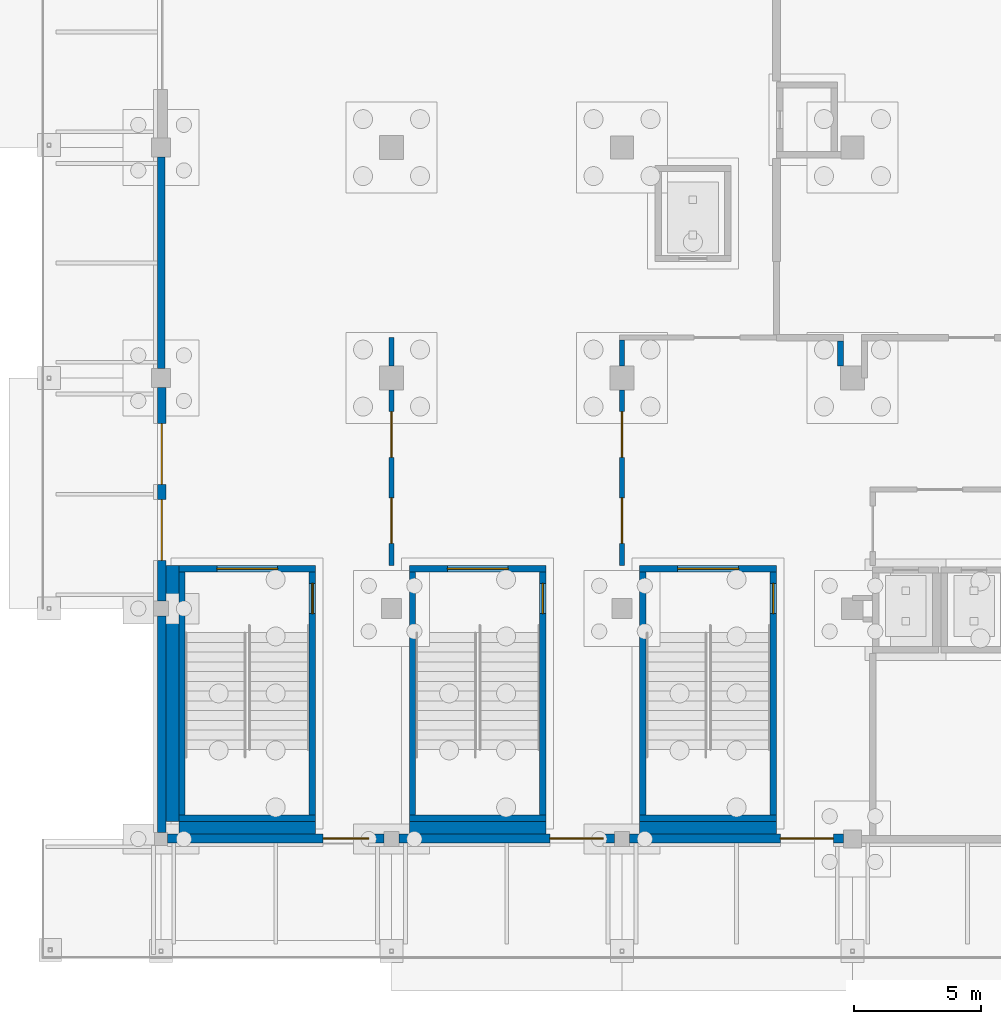
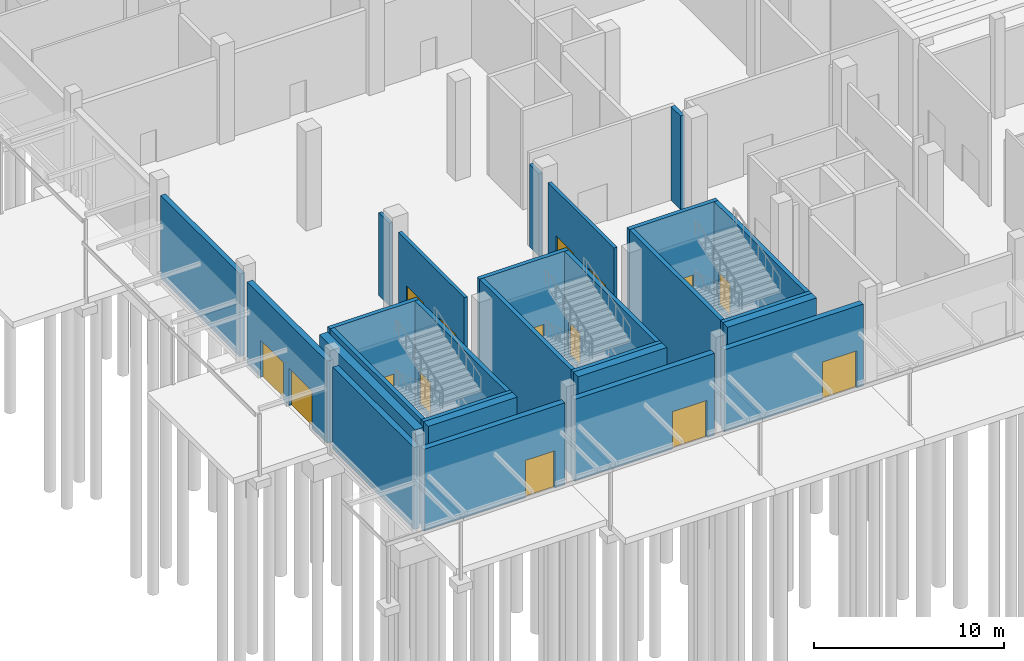
# One storey, part 67 of 129: 27 walls, 15 doors, 15 openings.
"""IFC4 building model written with IfcOpenShell, lengths in metres."""

import ifcopenshell
import ifcopenshell.guid

model = None  # the IFC model being written
_history = None  # IfcOwnerHistory: only IFC2X3 demands one
_inside = {}  # id of a spatial element -> (the spatial element, [elements in it])
_under = {}  # id of a project, library or spatial element -> (it, [spatial elements below it])
_declared = {}  # id of a project -> (the project, [libraries it declares])
_typed = {}  # id of a type object -> (the type object, [elements of that type])
_made_of = {}  # id of a material, layer set ... -> (it, [elements and type objects made of it])


def new_model(schema):
    """Start an empty IFC model of exactly this schema.

    Asked for "IFC4X3", IfcOpenShell would pick the latest addendum, in which some entities
    have other attributes; the version numbers below select the first issue.
    IFC2X3 requires an IfcOwnerHistory on every rooted entity: one is made here for all.
    """
    global model, _history
    if schema == "IFC4X3":
        model = ifcopenshell.file(schema_version=(4, 3, 0, 0))
    else:
        model = ifcopenshell.file(schema=schema)
    _inside.clear()
    _under.clear()
    _declared.clear()
    _typed.clear()
    _made_of.clear()
    _history = None
    if model.schema == "IFC2X3":
        org = make("IfcOrganization", Name="unknown")
        user = make(
            "IfcPersonAndOrganization",
            ThePerson=make("IfcPerson", FamilyName="unknown"),
            TheOrganization=org,
        )
        app = make(
            "IfcApplication",
            ApplicationDeveloper=org,
            Version="unknown",
            ApplicationFullName="unknown",
            ApplicationIdentifier="unknown",
        )
        _history = make(
            "IfcOwnerHistory",
            OwningUser=user,
            OwningApplication=app,
            ChangeAction="ADDED",
            CreationDate=0,
        )
    return model


def make(cls, **values):
    """One entity of the class cls with the attributes given. An attribute that is None is left unset."""
    return model.create_entity(
        cls, **{name: value for name, value in values.items() if value is not None}
    )


def rooted(cls, **values):
    """An entity with a GlobalId (a new one), such as an element, a storey or a relation."""
    return make(cls, GlobalId=ifcopenshell.guid.new(), OwnerHistory=_history, **values)


def si_unit(unit_type, name, prefix=None):
    """IfcSIUnit, for example si_unit("LENGTHUNIT", "METRE", prefix="MILLI")."""
    return make("IfcSIUnit", UnitType=unit_type, Prefix=prefix, Name=name)


def assignment(units):
    """IfcUnitAssignment: the units of a project."""
    return None if units is None else make("IfcUnitAssignment", Units=units)


def point(xyz):
    """IfcCartesianPoint."""
    return None if xyz is None else make("IfcCartesianPoint", Coordinates=xyz)


def direction(xyz):
    """IfcDirection."""
    return None if xyz is None else make("IfcDirection", DirectionRatios=xyz)


def frame(location, z_axis=None, x_axis=None):
    """IfcAxis2Placement3D, a coordinate frame: its origin and axes. An axis left out is left unset."""
    return make(
        "IfcAxis2Placement3D",
        Location=point(location),
        Axis=direction(z_axis),
        RefDirection=direction(x_axis),
    )


def frame_2d(location, x_axis=None):
    """IfcAxis2Placement2D, a coordinate frame in the plane: its origin and x axis."""
    return make(
        "IfcAxis2Placement2D", Location=point(location), RefDirection=direction(x_axis)
    )


def origin():
    """The frame at (0, 0, 0) with its axes left unset."""
    return frame((0.0, 0.0, 0.0))


def place(relative_to, where):
    """IfcLocalPlacement: puts the frame where relative to a parent placement (None: the world)."""
    return make(
        "IfcLocalPlacement", PlacementRelTo=relative_to, RelativePlacement=where
    )


def context(
    kind, dimensions, precision=None, world=None, true_north=None, identifier=None
):
    """IfcGeometricRepresentationContext, for example the 3D "Model" context."""
    return make(
        "IfcGeometricRepresentationContext",
        ContextIdentifier=identifier,
        ContextType=kind,
        CoordinateSpaceDimension=dimensions,
        Precision=precision,
        WorldCoordinateSystem=world,
        TrueNorth=true_north,
    )


def subcontext(parent, identifier, kind, view, scale=None):
    """IfcGeometricRepresentationSubContext, for example "Body" below "Model"."""
    return make(
        "IfcGeometricRepresentationSubContext",
        ContextIdentifier=identifier,
        ContextType=kind,
        ParentContext=parent,
        TargetScale=scale,
        TargetView=view,
    )


def project(units=None, contexts=None):
    """IfcProject with its units and contexts."""
    return rooted(
        "IfcProject",
        Name="project",
        RepresentationContexts=contexts,
        UnitsInContext=assignment(units),
    )


def spatial(cls, under=None, at=None, **own):
    """A site, building, storey or space (cls), placed at a placement, below another one or the project."""
    s = rooted(cls, ObjectPlacement=at, **own)
    if under is not None:
        _under.setdefault(under.id(), (under, []))[1].append(s)
    return s


def profile(cls, at=None, kind="AREA", **sizes):
    """A parametric profile (cls). Its sizes go by their IFC names, for example OverallWidth=200.0."""
    return make(cls, ProfileType=kind, Position=at, **sizes)


def rectangle(**sizes):
    """IfcRectangleProfileDef."""
    return profile("IfcRectangleProfileDef", **sizes)


def extrude(swept, where, along, depth):
    """IfcExtrudedAreaSolid: the profile swept, set in the frame where, extruded along a direction by depth."""
    return make(
        "IfcExtrudedAreaSolid",
        SweptArea=swept,
        Position=where,
        ExtrudedDirection=direction(along),
        Depth=depth,
    )


def shape(context_of_items, identifier, shape_type, items):
    """IfcShapeRepresentation: the items that make up one representation, for example the "Body"."""
    return make(
        "IfcShapeRepresentation",
        ContextOfItems=context_of_items,
        RepresentationIdentifier=identifier,
        RepresentationType=shape_type,
        Items=items,
    )


def material(Name=None, Category=None):
    """IfcMaterial."""
    return make("IfcMaterial", Name=Name, Category=Category)


def layer(
    of_material, thickness, ventilated=None, Name=None, Category=None, Priority=None
):
    """IfcMaterialLayer: one layer of a wall or slab, of a material (None: an air gap)."""
    return make(
        "IfcMaterialLayer",
        Material=of_material,
        LayerThickness=thickness,
        IsVentilated=ventilated,
        Name=Name,
        Category=Category,
        Priority=Priority,
    )


def layer_set(layers, Name=None):
    """IfcMaterialLayerSet."""
    return make("IfcMaterialLayerSet", MaterialLayers=layers, LayerSetName=Name)


def made_of(thing, what):
    """Note that an element or type object is made of a material, layer set ...; save() writes the relation."""
    if what is not None:
        _made_of.setdefault(what.id(), (what, []))[1].append(thing)
    return thing


def type_object(cls, material=None, **own):
    """A type object (cls), such as IfcWallType, which elements share."""
    return made_of(rooted(cls, **own), material)


def element(
    cls,
    number,
    at=None,
    inside=None,
    cuts=None,
    type_object=None,
    material=None,
    context=None,
    identifier="Body",
    shape_type=None,
    held_by="IfcProductDefinitionShape",
    body=None,
    shapes=None,
    **own,
):
    """One element of the class cls, such as IfcWall. Its Tag is "e" and its number.

    at: its placement. inside: the storey or other place that contains it. cuts: it is an
    opening in that element (IfcRelVoidsElement). A single representation is given by context,
    identifier, shape_type and body (its items); several are given by shapes. held_by: the class
    of the entity that holds the representations. save() writes the other relations.
    """
    e = rooted(cls, Tag="e%d" % number, ObjectPlacement=at, **own)
    if body is not None:
        shapes = [shape(context, identifier, shape_type, body)]
    if shapes is not None:
        e.Representation = make(held_by, Representations=shapes)
    if inside is not None:
        _inside.setdefault(inside.id(), (inside, []))[1].append(e)
    if cuts is not None:
        rooted(
            "IfcRelVoidsElement", RelatingBuildingElement=cuts, RelatedOpeningElement=e
        )
    if type_object is not None:
        _typed.setdefault(type_object.id(), (type_object, []))[1].append(e)
    return made_of(e, material)


def fill(opening, filler):
    """IfcRelFillsElement: the door or window that sits in an opening."""
    return rooted(
        "IfcRelFillsElement",
        RelatingOpeningElement=opening,
        RelatedBuildingElement=filler,
    )


def aggregate(whole, parts):
    """IfcRelAggregates: a whole, such as a stair, and the parts it consists of."""
    return rooted("IfcRelAggregates", RelatingObject=whole, RelatedObjects=parts)


def save(model, path):
    """Write the relations noted so far, then the file.

    IfcRelAggregates (storeys below a building ...), IfcRelContainedInSpatialStructure (elements
    in a storey), IfcRelDefinesByType, IfcRelAssociatesMaterial and IfcRelDeclares: one each for
    every whole, place, type object, material and project.
    """
    for whole, parts in _under.values():
        aggregate(whole, parts)
    for where, things in _inside.values():
        rooted(
            "IfcRelContainedInSpatialStructure",
            RelatedElements=things,
            RelatingStructure=where,
        )
    for kind, things in _typed.values():
        rooted("IfcRelDefinesByType", RelatedObjects=things, RelatingType=kind)
    for what, things in _made_of.values():
        rooted("IfcRelAssociatesMaterial", RelatedObjects=things, RelatingMaterial=what)
    for by, libraries in _declared.values():
        rooted("IfcRelDeclares", RelatingContext=by, RelatedDefinitions=libraries)
    model.write(path)


model = new_model("IFC4")

# Units and contexts
model_context = context("Model", 3, precision=1e-05, world=origin(), true_north=direction((0.0, 1.0)))
body_context = subcontext(model_context, "Body", "Model", "MODEL_VIEW")
ifc_project = project(units=[si_unit("LENGTHUNIT", "METRE"), si_unit("AREAUNIT", "SQUARE_METRE"), si_unit("VOLUMEUNIT", "CUBIC_METRE"), si_unit("PLANEANGLEUNIT", "RADIAN"), si_unit("MASSUNIT", "GRAM", prefix="KILO")], contexts=[model_context])

# Site, building, storey
site_placement = place(None, origin())
site = spatial("IfcSite", under=ifc_project, at=site_placement, CompositionType="ELEMENT")
building_placement = place(site_placement, origin())
building = spatial("IfcBuilding", under=site, at=building_placement, Name="Shirokan Park Arena", CompositionType="ELEMENT")
storey_placement = place(building_placement, origin())
storey = spatial("IfcBuildingStorey", under=building, at=storey_placement, Name="L00", CompositionType="ELEMENT", Elevation=0.0)

# Walls
ifc_material_1 = material(Name="Board-formed concrete C40/50", Category="concrete")
ifc_layer_1 = layer(ifc_material_1, 0.1201171875, Name="Board-formed concrete C40/50")
ifc_material_2 = material(Name="Mineral wool insulation")
ifc_layer_2 = layer(ifc_material_2, 0.10009765625, Name="Mineral wool insulation")
ifc_material_3 = material(Name="Concrete C35", Category="concrete")
ifc_layer_3 = layer(ifc_material_3, 0.080078125, Name="Concrete C35")
ifc_layer_set_1 = layer_set([ifc_layer_1, ifc_layer_2, ifc_layer_3], Name="Board-formed concrete C40/50 + Mineral wool insulation + Concrete C35")
wall_type_1 = type_object("IfcWallType", Name="Board-formed concrete base wall 300", PredefinedType="SOLIDWALL", material=ifc_layer_set_1)
wall_1_placement = place(storey_placement, frame((0.0, 26.925048828125, 0.0), z_axis=(0.0, 0.0, 1.0), x_axis=(0.0, -1.0, 0.0)))
element("IfcWall", 1, at=wall_1_placement, inside=storey, type_object=wall_type_1, Name="West facade wall bay 10 L00", PredefinedType="SOLIDWALL", context=body_context, shape_type="SweptSolid", body=[
    extrude(rectangle(XDim=8.35009765625, YDim=0.300048828125, at=frame_2d((4.175048828125, 0.0))), origin(), (0.0, 0.0, 1.0), 5.320068359375),
])
ifc_material_4 = material(Name="Plaster")
ifc_layer_4 = layer(ifc_material_4, 0.014892578125, Name="Plaster")
ifc_material_5 = material(Name="Concrete blockwork", Category="masonry")
ifc_layer_5 = layer(ifc_material_5, 0.219970703125, Name="Concrete blockwork 220")
ifc_layer_6 = layer(ifc_material_4, 0.014892578125, Name="Plaster")
ifc_layer_set_2 = layer_set([ifc_layer_4, ifc_layer_5, ifc_layer_6], Name="Plaster + Concrete blockwork 220")
wall_type_2 = type_object("IfcWallType", Name="Compartment wall 250", PredefinedType="SOLIDWALL", material=ifc_layer_set_2)
wall_2_placement = place(storey_placement, frame((26.824951171875, 19.675048828125, 0.0), z_axis=(0.0, 0.0, 1.0), x_axis=(0.0, -1.0, 0.0)))
element("IfcWall", 2, at=wall_2_placement, inside=storey, type_object=wall_type_2, Name="Compartment wall 250 L00", PredefinedType="SOLIDWALL", context=body_context, shape_type="SweptSolid", body=[
    extrude(rectangle(XDim=1.0, YDim=0.25, at=frame_2d((0.5, 0.0))), origin(), (0.0, 0.0, 1.0), 6.02001953125),
])

# Wall, openings, doors
ifc_material_6 = material(Name="Gypsum board")
ifc_layer_7 = layer(ifc_material_6, 0.02490234375, Name="Gypsum board, two layers")
ifc_layer_8 = layer(ifc_material_2, 0.14990234375, Name="Mineral wool insulation")
ifc_layer_9 = layer(ifc_material_6, 0.02490234375, Name="Gypsum board, two layers")
ifc_layer_set_3 = layer_set([ifc_layer_7, ifc_layer_8, ifc_layer_9], Name="Gypsum board, two layers + Mineral wool insulation")
wall_type_3 = type_object("IfcWallType", Name="Corridor wall 200", PredefinedType="PARTITIONING", material=ifc_layer_set_3)
wall_3_placement = place(storey_placement, frame((9.10009765625, 17.72509765625, 0.0), z_axis=(0.0, 0.0, 1.0), x_axis=(0.0, -1.0, 0.0)))
wall_3 = element("IfcWall", 3, at=wall_3_placement, inside=storey, type_object=wall_type_3, Name="Corridor wall 200 L00", PredefinedType="PARTITIONING", context=body_context, shape_type="SweptSolid", body=[
    extrude(rectangle(XDim=6.925048828125, YDim=0.199951171875, at=frame_2d((3.46240234375, 0.0))), origin(), (0.0, 0.0, 1.0), 5.320068359375),
])
opening_1_placement = place(wall_3_placement, frame((0.85009765625, 0.0, 0.0)))
opening_1 = element("IfcOpeningElement", 4, at=opening_1_placement, cuts=wall_3, Name="Opening D-0038", PredefinedType="OPENING", context=body_context, shape_type="SweptSolid", body=[
    extrude(rectangle(XDim=1.800048828125, YDim=2.39990234375, at=frame_2d((0.89990234375, 1.199951171875))), frame((0.0, 0.10986328125, 0.0), z_axis=(0.0, -1.0, 0.0), x_axis=(1.0, 0.0, 0.0)), (0.0, 0.0, 1.0), 0.219970703125),
])
opening_2_placement = place(wall_3_placement, frame((4.25, 0.0, 0.0)))
opening_2 = element("IfcOpeningElement", 5, at=opening_2_placement, cuts=wall_3, Name="Opening D-0039", PredefinedType="OPENING", context=body_context, shape_type="SweptSolid", body=[
    extrude(rectangle(XDim=1.800048828125, YDim=2.39990234375, at=frame_2d((0.89990234375, 1.199951171875))), frame((0.0, 0.10986328125, 0.0), z_axis=(0.0, -1.0, 0.0), x_axis=(1.0, 0.0, 0.0)), (0.0, 0.0, 1.0), 0.219970703125),
])
ifc_material_7 = material(Name="Glazed steel door set, fire resisting", Category="steel")
door_type_1 = type_object("IfcDoorType", Name="Lift lobby door 1800 x 2400", OperationType="DOUBLE_DOOR_SINGLE_SWING", PredefinedType="DOOR", material=ifc_material_7)
door_1_placement = place(opening_1_placement, origin())
door_1 = element("IfcDoor", 6, at=door_1_placement, inside=storey, type_object=door_type_1, Name="Door between Artists Reception 1.0.1 and Players Lounge 1.0.2 D-0038", OperationType="DOUBLE_DOOR_SINGLE_SWING", OverallHeight=2.39990234375, OverallWidth=1.800048828125, PredefinedType="DOOR", context=body_context, shape_type="SweptSolid", body=[
    extrude(rectangle(XDim=1.800048828125, YDim=2.39990234375, at=frame_2d((0.89990234375, 1.199951171875))), frame((0.0, 0.02490234375, 0.0), z_axis=(0.0, -1.0, 0.0), x_axis=(1.0, 0.0, 0.0)), (0.0, 0.0, 1.0), 0.050048828125),
])
fill(opening_1, door_1)
door_2_placement = place(opening_2_placement, origin())
door_2 = element("IfcDoor", 7, at=door_2_placement, inside=storey, type_object=door_type_1, Name="Door between Artists Reception 1.0.1 and Players Lounge 1.0.2 D-0039", OperationType="DOUBLE_DOOR_SINGLE_SWING", OverallHeight=2.39990234375, OverallWidth=1.800048828125, PredefinedType="DOOR", context=body_context, shape_type="SweptSolid", body=[
    extrude(rectangle(XDim=1.800048828125, YDim=2.39990234375, at=frame_2d((0.89990234375, 1.199951171875))), frame((0.0, 0.02490234375, 0.0), z_axis=(0.0, -1.0, 0.0), x_axis=(1.0, 0.0, 0.0)), (0.0, 0.0, 1.0), 0.050048828125),
])
fill(opening_2, door_2)

# Wall
wall_4_placement = place(storey_placement, frame((9.10009765625, 19.800048828125, 0.0), z_axis=(0.0, 0.0, 1.0), x_axis=(0.0, -1.0, 0.0)))
element("IfcWall", 8, at=wall_4_placement, inside=storey, type_object=wall_type_3, Name="Corridor wall 200 L00", PredefinedType="PARTITIONING", context=body_context, shape_type="SweptSolid", body=[
    extrude(rectangle(XDim=1.125, YDim=0.199951171875, at=frame_2d((0.5625, 0.0))), origin(), (0.0, 0.0, 1.0), 5.320068359375),
])

# Wall, openings, doors
wall_5_placement = place(storey_placement, frame((18.199951171875, 17.72509765625, 0.0), z_axis=(0.0, 0.0, 1.0), x_axis=(0.0, -1.0, 0.0)))
wall_5 = element("IfcWall", 9, at=wall_5_placement, inside=storey, type_object=wall_type_3, Name="Corridor wall 200 L00", PredefinedType="PARTITIONING", context=body_context, shape_type="SweptSolid", body=[
    extrude(rectangle(XDim=6.925048828125, YDim=0.199951171875, at=frame_2d((3.46240234375, 0.0))), origin(), (0.0, 0.0, 1.0), 5.320068359375),
])
opening_3_placement = place(wall_5_placement, frame((0.85009765625, 0.0, 0.0)))
opening_3 = element("IfcOpeningElement", 10, at=opening_3_placement, cuts=wall_5, Name="Opening D-0040", PredefinedType="OPENING", context=body_context, shape_type="SweptSolid", body=[
    extrude(rectangle(XDim=1.800048828125, YDim=2.39990234375, at=frame_2d((0.89990234375, 1.199951171875))), frame((0.0, 0.10986328125, 0.0), z_axis=(0.0, -1.0, 0.0), x_axis=(1.0, 0.0, 0.0)), (0.0, 0.0, 1.0), 0.219970703125),
])
opening_4_placement = place(wall_5_placement, frame((4.25, 0.0, 0.0)))
opening_4 = element("IfcOpeningElement", 11, at=opening_4_placement, cuts=wall_5, Name="Opening D-0041", PredefinedType="OPENING", context=body_context, shape_type="SweptSolid", body=[
    extrude(rectangle(XDim=1.800048828125, YDim=2.39990234375, at=frame_2d((0.89990234375, 1.199951171875))), frame((0.0, 0.10986328125, 0.0), z_axis=(0.0, -1.0, 0.0), x_axis=(1.0, 0.0, 0.0)), (0.0, 0.0, 1.0), 0.219970703125),
])
door_3_placement = place(opening_3_placement, origin())
door_3 = element("IfcDoor", 12, at=door_3_placement, inside=storey, type_object=door_type_1, Name="Door between Players Lounge 1.0.2 and Staff Lobby 1.0.3 D-0040", OperationType="DOUBLE_DOOR_SINGLE_SWING", OverallHeight=2.39990234375, OverallWidth=1.800048828125, PredefinedType="DOOR", context=body_context, shape_type="SweptSolid", body=[
    extrude(rectangle(XDim=1.800048828125, YDim=2.39990234375, at=frame_2d((0.89990234375, 1.199951171875))), frame((0.0, 0.02490234375, 0.0), z_axis=(0.0, -1.0, 0.0), x_axis=(1.0, 0.0, 0.0)), (0.0, 0.0, 1.0), 0.050048828125),
])
fill(opening_3, door_3)
door_4_placement = place(opening_4_placement, origin())
door_4 = element("IfcDoor", 13, at=door_4_placement, inside=storey, type_object=door_type_1, Name="Door between Players Lounge 1.0.2 and Staff Lobby 1.0.3 D-0041", OperationType="DOUBLE_DOOR_SINGLE_SWING", OverallHeight=2.39990234375, OverallWidth=1.800048828125, PredefinedType="DOOR", context=body_context, shape_type="SweptSolid", body=[
    extrude(rectangle(XDim=1.800048828125, YDim=2.39990234375, at=frame_2d((0.89990234375, 1.199951171875))), frame((0.0, 0.02490234375, 0.0), z_axis=(0.0, -1.0, 0.0), x_axis=(1.0, 0.0, 0.0)), (0.0, 0.0, 1.0), 0.050048828125),
])
fill(opening_4, door_4)

# Wall
wall_6_placement = place(storey_placement, frame((18.199951171875, 19.699951171875, 0.0), z_axis=(0.0, 0.0, 1.0), x_axis=(0.0, -1.0, 0.0)))
element("IfcWall", 14, at=wall_6_placement, inside=storey, type_object=wall_type_3, Name="Corridor wall 200 L00", PredefinedType="PARTITIONING", context=body_context, shape_type="SweptSolid", body=[
    extrude(rectangle(XDim=1.02490234375, YDim=0.199951171875, at=frame_2d((0.512451171875, 0.0))), origin(), (0.0, 0.0, 1.0), 5.320068359375),
])

# Wall, opening, door
ifc_material_8 = material(Name="Cedar cladding")
ifc_layer_10 = layer(ifc_material_8, 0.030029296875, Name="Cedar cladding")
ifc_layer_11 = layer(ifc_material_2, 0.10009765625, Name="Mineral wool insulation")
ifc_layer_12 = layer(ifc_material_3, 0.199951171875, Name="Concrete C35")
ifc_material_9 = material(Name="Gypsum board lining")
ifc_layer_13 = layer(ifc_material_9, 0.02001953125, Name="Gypsum board lining")
ifc_layer_set_4 = layer_set([ifc_layer_10, ifc_layer_11, ifc_layer_12, ifc_layer_13], Name="Cedar cladding + Mineral wool insulation + Concrete C35 + Gypsum board lining")
wall_type_4 = type_object("IfcWallType", Name="Insulated tower wall 350", PredefinedType="SOLIDWALL", material=ifc_layer_set_4)
wall_7_placement = place(storey_placement, frame((0.25, 0.02490234375, 0.0), z_axis=(0.0, 0.0, 1.0), x_axis=(1.0, 0.0, 0.0)))
wall_7 = element("IfcWall", 15, at=wall_7_placement, inside=storey, type_object=wall_type_4, Name="South facade wall bay 1 L00", PredefinedType="SOLIDWALL", context=body_context, shape_type="SweptSolid", body=[
    extrude(rectangle(XDim=8.550048828125, YDim=0.35009765625, at=frame_2d((4.27490234375, 0.0))), origin(), (0.0, 0.0, 1.0), 5.27001953125),
])
opening_5_placement = place(wall_7_placement, frame((6.14990234375, 0.0, 0.0)))
opening_5 = element("IfcOpeningElement", 16, at=opening_5_placement, cuts=wall_7, Name="Opening A1", PredefinedType="OPENING", context=body_context, shape_type="SweptSolid", body=[
    extrude(rectangle(XDim=1.800048828125, YDim=2.39990234375, at=frame_2d((0.89990234375, 1.199951171875))), frame((0.0, 0.18505859375, 0.0), z_axis=(0.0, -1.0, 0.0), x_axis=(1.0, 0.0, 0.0)), (0.0, 0.0, 1.0), 0.3701171875),
])
ifc_material_10 = material(Name="Steel door", Category="steel")
door_type_2 = type_object("IfcDoorType", Name="Service door pair 1800x2400", OperationType="DOUBLE_DOOR_SINGLE_SWING", PredefinedType="DOOR", material=ifc_material_10)
door_5_placement = place(opening_5_placement, frame((1.800048828125, 0.0, 0.0), z_axis=(0.0, 0.0, 1.0), x_axis=(-1.0, 0.0, 0.0)))
door_5 = element("IfcDoor", 17, at=door_5_placement, inside=storey, type_object=door_type_2, Name="Artists entrance A1", OperationType="DOUBLE_DOOR_SINGLE_SWING", OverallHeight=2.39990234375, OverallWidth=1.800048828125, PredefinedType="DOOR", context=body_context, shape_type="SweptSolid", body=[
    extrude(rectangle(XDim=1.800048828125, YDim=2.39990234375, at=frame_2d((0.89990234375, 1.199951171875))), frame((0.0, 0.02490234375, 0.0), z_axis=(0.0, -1.0, 0.0), x_axis=(1.0, 0.0, 0.0)), (0.0, 0.0, 1.0), 0.050048828125),
])
fill(opening_5, door_5)

wall_8_placement = place(storey_placement, frame((9.39990234375, 0.02490234375, 0.0), z_axis=(0.0, 0.0, 1.0), x_axis=(1.0, 0.0, 0.0)))
wall_8 = element("IfcWall", 18, at=wall_8_placement, inside=storey, type_object=wall_type_4, Name="South facade wall bay 2 L00", PredefinedType="SOLIDWALL", context=body_context, shape_type="SweptSolid", body=[
    extrude(rectangle(XDim=8.5, YDim=0.35009765625, at=frame_2d((4.25, 0.0))), origin(), (0.0, 0.0, 1.0), 5.27001953125),
])
opening_6_placement = place(wall_8_placement, frame((5.949951171875, 0.0, 0.0)))
opening_6 = element("IfcOpeningElement", 19, at=opening_6_placement, cuts=wall_8, Name="Opening G1", PredefinedType="OPENING", context=body_context, shape_type="SweptSolid", body=[
    extrude(rectangle(XDim=2.10009765625, YDim=2.39990234375, at=frame_2d((1.050048828125, 1.199951171875))), frame((0.0, 0.18505859375, 0.0), z_axis=(0.0, -1.0, 0.0), x_axis=(1.0, 0.0, 0.0)), (0.0, 0.0, 1.0), 0.3701171875),
])
ifc_material_11 = material(Name="Steel and glass door", Category="steel")
door_type_3 = type_object("IfcDoorType", Name="Exit door pair 2100x2400", OperationType="DOUBLE_DOOR_SINGLE_SWING", PredefinedType="DOOR", material=ifc_material_11)
door_6_placement = place(opening_6_placement, frame((2.10009765625, 0.0, 0.0), z_axis=(0.0, 0.0, 1.0), x_axis=(-1.0, 0.0, 0.0)))
door_6 = element("IfcDoor", 20, at=door_6_placement, inside=storey, type_object=door_type_3, Name="Pedestrian exit gate G1", OperationType="DOUBLE_DOOR_SINGLE_SWING", OverallHeight=2.39990234375, OverallWidth=2.10009765625, PredefinedType="DOOR", context=body_context, shape_type="SweptSolid", body=[
    extrude(rectangle(XDim=2.10009765625, YDim=2.39990234375, at=frame_2d((1.050048828125, 1.199951171875))), frame((0.0, 0.02490234375, 0.0), z_axis=(0.0, -1.0, 0.0), x_axis=(1.0, 0.0, 0.0)), (0.0, 0.0, 1.0), 0.050048828125),
])
fill(opening_6, door_6)

wall_9_placement = place(storey_placement, frame((18.5, 0.02490234375, 0.0), z_axis=(0.0, 0.0, 1.0), x_axis=(1.0, 0.0, 0.0)))
wall_9 = element("IfcWall", 21, at=wall_9_placement, inside=storey, type_object=wall_type_4, Name="South facade wall bay 3 L00", PredefinedType="SOLIDWALL", context=body_context, shape_type="SweptSolid", body=[
    extrude(rectangle(XDim=8.449951171875, YDim=0.35009765625, at=frame_2d((4.22509765625, 0.0))), origin(), (0.0, 0.0, 1.0), 5.27001953125),
])
opening_7_placement = place(wall_9_placement, frame((5.949951171875, 0.0, 0.0)))
opening_7 = element("IfcOpeningElement", 22, at=opening_7_placement, cuts=wall_9, Name="Opening G2", PredefinedType="OPENING", context=body_context, shape_type="SweptSolid", body=[
    extrude(rectangle(XDim=2.10009765625, YDim=2.39990234375, at=frame_2d((1.050048828125, 1.199951171875))), frame((0.0, 0.18505859375, 0.0), z_axis=(0.0, -1.0, 0.0), x_axis=(1.0, 0.0, 0.0)), (0.0, 0.0, 1.0), 0.3701171875),
])
door_7_placement = place(opening_7_placement, frame((2.10009765625, 0.0, 0.0), z_axis=(0.0, 0.0, 1.0), x_axis=(-1.0, 0.0, 0.0)))
door_7 = element("IfcDoor", 23, at=door_7_placement, inside=storey, type_object=door_type_3, Name="Pedestrian exit gate G2", OperationType="DOUBLE_DOOR_SINGLE_SWING", OverallHeight=2.39990234375, OverallWidth=2.10009765625, PredefinedType="DOOR", context=body_context, shape_type="SweptSolid", body=[
    extrude(rectangle(XDim=2.10009765625, YDim=2.39990234375, at=frame_2d((1.050048828125, 1.199951171875))), frame((0.0, 0.02490234375, 0.0), z_axis=(0.0, -1.0, 0.0), x_axis=(1.0, 0.0, 0.0)), (0.0, 0.0, 1.0), 0.050048828125),
])
fill(opening_7, door_7)

# Wall, openings, doors
wall_10_placement = place(storey_placement, frame((0.02490234375, 17.824951171875, 0.0), z_axis=(0.0, 0.0, 1.0), x_axis=(0.0, -1.0, 0.0)))
wall_10 = element("IfcWall", 24, at=wall_10_placement, inside=storey, type_object=wall_type_4, Name="West facade wall bay 11 L00", PredefinedType="SOLIDWALL", context=body_context, shape_type="SweptSolid", body=[
    extrude(rectangle(XDim=8.425048828125, YDim=0.35009765625, at=frame_2d((4.21240234375, 0.0))), origin(), (0.0, 0.0, 1.0), 5.27001953125),
])
opening_8_placement = place(wall_10_placement, frame((4.425048828125, 0.0, 0.0)))
opening_8 = element("IfcOpeningElement", 25, at=opening_8_placement, cuts=wall_10, Name="Opening G5", PredefinedType="OPENING", context=body_context, shape_type="SweptSolid", body=[
    extrude(rectangle(XDim=2.39990234375, YDim=2.39990234375, at=frame_2d((1.199951171875, 1.199951171875))), frame((0.0, 0.18505859375, 0.0), z_axis=(0.0, -1.0, 0.0), x_axis=(1.0, 0.0, 0.0)), (0.0, 0.0, 1.0), 0.3701171875),
])
opening_9_placement = place(wall_10_placement, frame((1.425048828125, 0.0, 0.0)))
opening_9 = element("IfcOpeningElement", 26, at=opening_9_placement, cuts=wall_10, Name="Opening G6", PredefinedType="OPENING", context=body_context, shape_type="SweptSolid", body=[
    extrude(rectangle(XDim=2.39990234375, YDim=2.39990234375, at=frame_2d((1.199951171875, 1.199951171875))), frame((0.0, 0.18505859375, 0.0), z_axis=(0.0, -1.0, 0.0), x_axis=(1.0, 0.0, 0.0)), (0.0, 0.0, 1.0), 0.3701171875),
])
door_type_4 = type_object("IfcDoorType", Name="Exit door pair 2400x2400", OperationType="DOUBLE_DOOR_SINGLE_SWING", PredefinedType="DOOR", material=ifc_material_11)
door_8_placement = place(opening_8_placement, frame((2.39990234375, 0.0, 0.0), z_axis=(0.0, 0.0, 1.0), x_axis=(-1.0, 0.0, 0.0)))
door_8 = element("IfcDoor", 27, at=door_8_placement, inside=storey, type_object=door_type_4, Name="Pedestrian exit gate G5", OperationType="DOUBLE_DOOR_SINGLE_SWING", OverallHeight=2.39990234375, OverallWidth=2.39990234375, PredefinedType="DOOR", context=body_context, shape_type="SweptSolid", body=[
    extrude(rectangle(XDim=2.39990234375, YDim=2.39990234375, at=frame_2d((1.199951171875, 1.199951171875))), frame((0.0, 0.02490234375, 0.0), z_axis=(0.0, -1.0, 0.0), x_axis=(1.0, 0.0, 0.0)), (0.0, 0.0, 1.0), 0.050048828125),
])
fill(opening_8, door_8)
door_9_placement = place(opening_9_placement, frame((2.39990234375, 0.0, 0.0), z_axis=(0.0, 0.0, 1.0), x_axis=(-1.0, 0.0, 0.0)))
door_9 = element("IfcDoor", 28, at=door_9_placement, inside=storey, type_object=door_type_4, Name="Pedestrian exit gate G6", OperationType="DOUBLE_DOOR_SINGLE_SWING", OverallHeight=2.39990234375, OverallWidth=2.39990234375, PredefinedType="DOOR", context=body_context, shape_type="SweptSolid", body=[
    extrude(rectangle(XDim=2.39990234375, YDim=2.39990234375, at=frame_2d((1.199951171875, 1.199951171875))), frame((0.0, 0.02490234375, 0.0), z_axis=(0.0, -1.0, 0.0), x_axis=(1.0, 0.0, 0.0)), (0.0, 0.0, 1.0), 0.050048828125),
])
fill(opening_9, door_9)

# Walls
wall_11_placement = place(storey_placement, frame((0.02490234375, 8.800048828125, 0.0), z_axis=(0.0, 0.0, 1.0), x_axis=(0.0, -1.0, 0.0)))
element("IfcWall", 29, at=wall_11_placement, inside=storey, type_object=wall_type_4, Name="West facade wall bay 12 L00", PredefinedType="SOLIDWALL", context=body_context, shape_type="SweptSolid", body=[
    extrude(rectangle(XDim=8.550048828125, YDim=0.35009765625, at=frame_2d((4.27490234375, 0.0))), origin(), (0.0, 0.0, 1.0), 5.27001953125),
])
ifc_material_12 = material(Name="Concrete C40/50", Category="concrete")
ifc_layer_14 = layer(ifc_material_12, 0.25)
ifc_layer_set_5 = layer_set([ifc_layer_14], Name="Concrete C40/50 250 mm")
wall_type_5 = type_object("IfcWallType", Name="RC shear wall 250", PredefinedType="SHEAR", material=ifc_layer_set_5)
wall_12_placement = place(storey_placement, frame((6.10009765625, 0.824951171875, -0.39990234375), z_axis=(0.0, 0.0, 1.0), x_axis=(-1.0, 0.0, 0.0)))
element("IfcWall", 30, at=wall_12_placement, inside=storey, type_object=wall_type_5, Name="Shaft wall Exit Stair 1.A S L00", PredefinedType="SHEAR", context=body_context, shape_type="SweptSolid", body=[
    extrude(rectangle(XDim=5.400146484375, YDim=0.25, at=frame_2d((2.7001953125, 0.0))), origin(), (0.0, 0.0, 1.0), 6.77001953125),
])

# Wall, opening, door
wall_13_placement = place(storey_placement, frame((6.10009765625, 10.675048828125, -0.39990234375), z_axis=(0.0, 0.0, 1.0), x_axis=(-1.0, 0.0, 0.0)))
wall_13 = element("IfcWall", 31, at=wall_13_placement, inside=storey, type_object=wall_type_5, Name="Shaft wall Exit Stair 1.A N L00", PredefinedType="SHEAR", context=body_context, shape_type="SweptSolid", body=[
    extrude(rectangle(XDim=5.400146484375, YDim=0.25, at=frame_2d((2.7001953125, 0.0))), origin(), (0.0, 0.0, 1.0), 6.77001953125),
])
opening_10_placement = place(wall_13_placement, frame((1.5, 0.0, 0.39990234375)))
opening_10 = element("IfcOpeningElement", 32, at=opening_10_placement, cuts=wall_13, Name="Opening D-0173", PredefinedType="OPENING", context=body_context, shape_type="SweptSolid", body=[
    extrude(rectangle(XDim=2.39990234375, YDim=2.10009765625, at=frame_2d((1.199951171875, 1.050048828125))), frame((0.0, 0.135009765625, 0.0), z_axis=(0.0, -1.0, 0.0), x_axis=(1.0, 0.0, 0.0)), (0.0, 0.0, 1.0), 0.27001953125),
])
ifc_material_13 = material(Name="Steel door set, fire resisting", Category="steel")
door_type_5 = type_object("IfcDoorType", Name="Stair door 2400 x 2100", OperationType="DOUBLE_DOOR_SINGLE_SWING", PredefinedType="DOOR", material=ifc_material_13)
door_10_placement = place(opening_10_placement, origin())
door_10 = element("IfcDoor", 33, at=door_10_placement, inside=storey, type_object=door_type_5, Name="Stair door Exit Stair 1.A D-0173", OperationType="DOUBLE_DOOR_SINGLE_SWING", OverallHeight=2.10009765625, OverallWidth=2.39990234375, PredefinedType="DOOR", context=body_context, shape_type="SweptSolid", body=[
    extrude(rectangle(XDim=2.39990234375, YDim=2.10009765625, at=frame_2d((1.199951171875, 1.050048828125))), frame((0.0, 0.02490234375, 0.0), z_axis=(0.0, -1.0, 0.0), x_axis=(1.0, 0.0, 0.0)), (0.0, 0.0, 1.0), 0.050048828125),
])
fill(opening_10, door_10)

# Wall
wall_14_placement = place(storey_placement, frame((0.824951171875, 10.550048828125, -0.39990234375), z_axis=(0.0, 0.0, 1.0), x_axis=(0.0, -1.0, 0.0)))
element("IfcWall", 34, at=wall_14_placement, inside=storey, type_object=wall_type_5, Name="Shaft wall Exit Stair 1.A W L00", PredefinedType="SHEAR", context=body_context, shape_type="SweptSolid", body=[
    extrude(rectangle(XDim=9.60009765625, YDim=0.25, at=frame_2d((4.800048828125, 0.0))), origin(), (0.0, 0.0, 1.0), 6.77001953125),
])

# Wall, opening, door
wall_15_placement = place(storey_placement, frame((5.97509765625, 10.550048828125, -0.39990234375), z_axis=(0.0, 0.0, 1.0), x_axis=(0.0, -1.0, 0.0)))
wall_15 = element("IfcWall", 35, at=wall_15_placement, inside=storey, type_object=wall_type_5, Name="Shaft wall Exit Stair 1.A E L00", PredefinedType="SHEAR", context=body_context, shape_type="SweptSolid", body=[
    extrude(rectangle(XDim=9.60009765625, YDim=0.25, at=frame_2d((4.800048828125, 0.0))), origin(), (0.0, 0.0, 1.0), 6.77001953125),
])
opening_11_placement = place(wall_15_placement, frame((0.449951171875, 0.0, 0.39990234375)))
opening_11 = element("IfcOpeningElement", 36, at=opening_11_placement, cuts=wall_15, Name="Opening D-0198", PredefinedType="OPENING", context=body_context, shape_type="SweptSolid", body=[
    extrude(rectangle(XDim=1.199951171875, YDim=2.10009765625, at=frame_2d((0.60009765625, 1.050048828125))), frame((0.0, 0.135009765625, 0.0), z_axis=(0.0, -1.0, 0.0), x_axis=(1.0, 0.0, 0.0)), (0.0, 0.0, 1.0), 0.27001953125),
])
door_type_6 = type_object("IfcDoorType", Name="Stair exit door 1200 x 2100", OperationType="SINGLE_SWING_LEFT", PredefinedType="DOOR", material=ifc_material_13)
door_11_placement = place(opening_11_placement, origin())
door_11 = element("IfcDoor", 37, at=door_11_placement, inside=storey, type_object=door_type_6, Name="Stair exit door Exit Stair 1.A D-0198", OperationType="SINGLE_SWING_RIGHT", OverallHeight=2.10009765625, OverallWidth=1.199951171875, PredefinedType="DOOR", context=body_context, shape_type="SweptSolid", body=[
    extrude(rectangle(XDim=1.199951171875, YDim=2.10009765625, at=frame_2d((0.60009765625, 1.050048828125))), frame((0.0, 0.02490234375, 0.0), z_axis=(0.0, -1.0, 0.0), x_axis=(1.0, 0.0, 0.0)), (0.0, 0.0, 1.0), 0.050048828125),
])
fill(opening_11, door_11)

# Wall
wall_16_placement = place(storey_placement, frame((15.199951171875, 0.824951171875, -0.39990234375), z_axis=(0.0, 0.0, 1.0), x_axis=(-1.0, 0.0, 0.0)))
element("IfcWall", 38, at=wall_16_placement, inside=storey, type_object=wall_type_5, Name="Shaft wall Exit Stair 1.B S L00", PredefinedType="SHEAR", context=body_context, shape_type="SweptSolid", body=[
    extrude(rectangle(XDim=5.39990234375, YDim=0.25, at=frame_2d((2.699951171875, 0.0))), origin(), (0.0, 0.0, 1.0), 6.77001953125),
])

# Wall, opening, door
wall_17_placement = place(storey_placement, frame((15.199951171875, 10.675048828125, -0.39990234375), z_axis=(0.0, 0.0, 1.0), x_axis=(-1.0, 0.0, 0.0)))
wall_17 = element("IfcWall", 39, at=wall_17_placement, inside=storey, type_object=wall_type_5, Name="Shaft wall Exit Stair 1.B N L00", PredefinedType="SHEAR", context=body_context, shape_type="SweptSolid", body=[
    extrude(rectangle(XDim=5.39990234375, YDim=0.25, at=frame_2d((2.699951171875, 0.0))), origin(), (0.0, 0.0, 1.0), 6.77001953125),
])
opening_12_placement = place(wall_17_placement, frame((1.5, 0.0, 0.39990234375)))
opening_12 = element("IfcOpeningElement", 40, at=opening_12_placement, cuts=wall_17, Name="Opening D-0174", PredefinedType="OPENING", context=body_context, shape_type="SweptSolid", body=[
    extrude(rectangle(XDim=2.39990234375, YDim=2.10009765625, at=frame_2d((1.199951171875, 1.050048828125))), frame((0.0, 0.135009765625, 0.0), z_axis=(0.0, -1.0, 0.0), x_axis=(1.0, 0.0, 0.0)), (0.0, 0.0, 1.0), 0.27001953125),
])
door_12_placement = place(opening_12_placement, origin())
door_12 = element("IfcDoor", 41, at=door_12_placement, inside=storey, type_object=door_type_5, Name="Stair door Exit Stair 1.B D-0174", OperationType="DOUBLE_DOOR_SINGLE_SWING", OverallHeight=2.10009765625, OverallWidth=2.39990234375, PredefinedType="DOOR", context=body_context, shape_type="SweptSolid", body=[
    extrude(rectangle(XDim=2.39990234375, YDim=2.10009765625, at=frame_2d((1.199951171875, 1.050048828125))), frame((0.0, 0.02490234375, 0.0), z_axis=(0.0, -1.0, 0.0), x_axis=(1.0, 0.0, 0.0)), (0.0, 0.0, 1.0), 0.050048828125),
])
fill(opening_12, door_12)

# Wall
wall_18_placement = place(storey_placement, frame((9.925048828125, 10.550048828125, -0.39990234375), z_axis=(0.0, 0.0, 1.0), x_axis=(0.0, -1.0, 0.0)))
element("IfcWall", 42, at=wall_18_placement, inside=storey, type_object=wall_type_5, Name="Shaft wall Exit Stair 1.B W L00", PredefinedType="SHEAR", context=body_context, shape_type="SweptSolid", body=[
    extrude(rectangle(XDim=9.60009765625, YDim=0.25, at=frame_2d((4.800048828125, 0.0))), origin(), (0.0, 0.0, 1.0), 6.77001953125),
])

# Wall, opening, door
wall_19_placement = place(storey_placement, frame((15.074951171875, 10.550048828125, -0.39990234375), z_axis=(0.0, 0.0, 1.0), x_axis=(0.0, -1.0, 0.0)))
wall_19 = element("IfcWall", 43, at=wall_19_placement, inside=storey, type_object=wall_type_5, Name="Shaft wall Exit Stair 1.B E L00", PredefinedType="SHEAR", context=body_context, shape_type="SweptSolid", body=[
    extrude(rectangle(XDim=9.60009765625, YDim=0.25, at=frame_2d((4.800048828125, 0.0))), origin(), (0.0, 0.0, 1.0), 6.77001953125),
])
opening_13_placement = place(wall_19_placement, frame((0.449951171875, 0.0, 0.39990234375)))
opening_13 = element("IfcOpeningElement", 44, at=opening_13_placement, cuts=wall_19, Name="Opening D-0199", PredefinedType="OPENING", context=body_context, shape_type="SweptSolid", body=[
    extrude(rectangle(XDim=1.199951171875, YDim=2.10009765625, at=frame_2d((0.60009765625, 1.050048828125))), frame((0.0, 0.135009765625, 0.0), z_axis=(0.0, -1.0, 0.0), x_axis=(1.0, 0.0, 0.0)), (0.0, 0.0, 1.0), 0.27001953125),
])
door_13_placement = place(opening_13_placement, origin())
door_13 = element("IfcDoor", 45, at=door_13_placement, inside=storey, type_object=door_type_6, Name="Stair exit door Exit Stair 1.B D-0199", OperationType="SINGLE_SWING_RIGHT", OverallHeight=2.10009765625, OverallWidth=1.199951171875, PredefinedType="DOOR", context=body_context, shape_type="SweptSolid", body=[
    extrude(rectangle(XDim=1.199951171875, YDim=2.10009765625, at=frame_2d((0.60009765625, 1.050048828125))), frame((0.0, 0.02490234375, 0.0), z_axis=(0.0, -1.0, 0.0), x_axis=(1.0, 0.0, 0.0)), (0.0, 0.0, 1.0), 0.050048828125),
])
fill(opening_13, door_13)

# Wall
wall_20_placement = place(storey_placement, frame((24.300048828125, 0.824951171875, -0.39990234375), z_axis=(0.0, 0.0, 1.0), x_axis=(-1.0, 0.0, 0.0)))
element("IfcWall", 46, at=wall_20_placement, inside=storey, type_object=wall_type_5, Name="Shaft wall Exit Stair 1.C S L00", PredefinedType="SHEAR", context=body_context, shape_type="SweptSolid", body=[
    extrude(rectangle(XDim=5.400146484375, YDim=0.25, at=frame_2d((2.7001953125, 0.0))), origin(), (0.0, 0.0, 1.0), 6.77001953125),
])

# Wall, opening, door
wall_21_placement = place(storey_placement, frame((24.300048828125, 10.675048828125, -0.39990234375), z_axis=(0.0, 0.0, 1.0), x_axis=(-1.0, 0.0, 0.0)))
wall_21 = element("IfcWall", 47, at=wall_21_placement, inside=storey, type_object=wall_type_5, Name="Shaft wall Exit Stair 1.C N L00", PredefinedType="SHEAR", context=body_context, shape_type="SweptSolid", body=[
    extrude(rectangle(XDim=5.400146484375, YDim=0.25, at=frame_2d((2.7001953125, 0.0))), origin(), (0.0, 0.0, 1.0), 6.77001953125),
])
opening_14_placement = place(wall_21_placement, frame((1.5, 0.0, 0.39990234375)))
opening_14 = element("IfcOpeningElement", 48, at=opening_14_placement, cuts=wall_21, Name="Opening D-0175", PredefinedType="OPENING", context=body_context, shape_type="SweptSolid", body=[
    extrude(rectangle(XDim=2.39990234375, YDim=2.10009765625, at=frame_2d((1.199951171875, 1.050048828125))), frame((0.0, 0.135009765625, 0.0), z_axis=(0.0, -1.0, 0.0), x_axis=(1.0, 0.0, 0.0)), (0.0, 0.0, 1.0), 0.27001953125),
])
door_14_placement = place(opening_14_placement, origin())
door_14 = element("IfcDoor", 49, at=door_14_placement, inside=storey, type_object=door_type_5, Name="Stair door Exit Stair 1.C D-0175", OperationType="DOUBLE_DOOR_SINGLE_SWING", OverallHeight=2.10009765625, OverallWidth=2.39990234375, PredefinedType="DOOR", context=body_context, shape_type="SweptSolid", body=[
    extrude(rectangle(XDim=2.39990234375, YDim=2.10009765625, at=frame_2d((1.199951171875, 1.050048828125))), frame((0.0, 0.02490234375, 0.0), z_axis=(0.0, -1.0, 0.0), x_axis=(1.0, 0.0, 0.0)), (0.0, 0.0, 1.0), 0.050048828125),
])
fill(opening_14, door_14)

# Wall
wall_22_placement = place(storey_placement, frame((19.02490234375, 10.550048828125, -0.39990234375), z_axis=(0.0, 0.0, 1.0), x_axis=(0.0, -1.0, 0.0)))
element("IfcWall", 50, at=wall_22_placement, inside=storey, type_object=wall_type_5, Name="Shaft wall Exit Stair 1.C W L00", PredefinedType="SHEAR", context=body_context, shape_type="SweptSolid", body=[
    extrude(rectangle(XDim=9.60009765625, YDim=0.25, at=frame_2d((4.800048828125, 0.0))), origin(), (0.0, 0.0, 1.0), 6.77001953125),
])

# Wall, opening, door
wall_23_placement = place(storey_placement, frame((24.175048828125, 10.550048828125, -0.39990234375), z_axis=(0.0, 0.0, 1.0), x_axis=(0.0, -1.0, 0.0)))
wall_23 = element("IfcWall", 51, at=wall_23_placement, inside=storey, type_object=wall_type_5, Name="Shaft wall Exit Stair 1.C E L00", PredefinedType="SHEAR", context=body_context, shape_type="SweptSolid", body=[
    extrude(rectangle(XDim=9.60009765625, YDim=0.25, at=frame_2d((4.800048828125, 0.0))), origin(), (0.0, 0.0, 1.0), 6.77001953125),
])
opening_15_placement = place(wall_23_placement, frame((0.449951171875, 0.0, 0.39990234375)))
opening_15 = element("IfcOpeningElement", 52, at=opening_15_placement, cuts=wall_23, Name="Opening D-0200", PredefinedType="OPENING", context=body_context, shape_type="SweptSolid", body=[
    extrude(rectangle(XDim=1.199951171875, YDim=2.10009765625, at=frame_2d((0.60009765625, 1.050048828125))), frame((0.0, 0.135009765625, 0.0), z_axis=(0.0, -1.0, 0.0), x_axis=(1.0, 0.0, 0.0)), (0.0, 0.0, 1.0), 0.27001953125),
])
door_15_placement = place(opening_15_placement, origin())
door_15 = element("IfcDoor", 53, at=door_15_placement, inside=storey, type_object=door_type_6, Name="Stair exit door Exit Stair 1.C D-0200", OperationType="SINGLE_SWING_RIGHT", OverallHeight=2.10009765625, OverallWidth=1.199951171875, PredefinedType="DOOR", context=body_context, shape_type="SweptSolid", body=[
    extrude(rectangle(XDim=1.199951171875, YDim=2.10009765625, at=frame_2d((0.60009765625, 1.050048828125))), frame((0.0, 0.02490234375, 0.0), z_axis=(0.0, -1.0, 0.0), x_axis=(1.0, 0.0, 0.0)), (0.0, 0.0, 1.0), 0.050048828125),
])
fill(opening_15, door_15)

# Walls
ifc_layer_15 = layer(ifc_material_3, 0.5)
ifc_layer_set_6 = layer_set([ifc_layer_15], Name="Concrete C35 500 mm")
wall_type_6 = type_object("IfcWallType", Name="Shaft infill wall 500", PredefinedType="SOLIDWALL", material=ifc_layer_set_6)
wall_24_placement = place(storey_placement, frame((0.699951171875, 0.449951171875, 0.0), z_axis=(0.0, 0.0, 1.0), x_axis=(1.0, 0.0, 0.0)))
element("IfcWall", 54, at=wall_24_placement, inside=storey, type_object=wall_type_6, Name="Shaft infill wall L00", PredefinedType="SOLIDWALL", context=body_context, shape_type="SweptSolid", body=[
    extrude(rectangle(XDim=5.400146484375, YDim=0.5, at=frame_2d((2.7001953125, 0.0))), origin(), (0.0, 0.0, 1.0), 6.3701171875),
])
wall_25_placement = place(storey_placement, frame((0.449951171875, 0.699951171875, 0.0), z_axis=(0.0, 0.0, 1.0), x_axis=(0.0, 1.0, 0.0)))
element("IfcWall", 55, at=wall_25_placement, inside=storey, type_object=wall_type_6, Name="Shaft infill wall L00", PredefinedType="SOLIDWALL", context=body_context, shape_type="SweptSolid", body=[
    extrude(rectangle(XDim=10.10009765625, YDim=0.5, at=frame_2d((5.050048828125, 0.0))), origin(), (0.0, 0.0, 1.0), 6.02001953125),
])
wall_26_placement = place(storey_placement, frame((9.800048828125, 0.449951171875, 0.0), z_axis=(0.0, 0.0, 1.0), x_axis=(1.0, 0.0, 0.0)))
element("IfcWall", 56, at=wall_26_placement, inside=storey, type_object=wall_type_6, Name="Shaft infill wall L00", PredefinedType="SOLIDWALL", context=body_context, shape_type="SweptSolid", body=[
    extrude(rectangle(XDim=5.39990234375, YDim=0.5, at=frame_2d((2.699951171875, 0.0))), origin(), (0.0, 0.0, 1.0), 6.3701171875),
])
wall_27_placement = place(storey_placement, frame((18.89990234375, 0.449951171875, 0.0), z_axis=(0.0, 0.0, 1.0), x_axis=(1.0, 0.0, 0.0)))
element("IfcWall", 57, at=wall_27_placement, inside=storey, type_object=wall_type_6, Name="Shaft infill wall L00", PredefinedType="SOLIDWALL", context=body_context, shape_type="SweptSolid", body=[
    extrude(rectangle(XDim=5.400146484375, YDim=0.5, at=frame_2d((2.7001953125, 0.0))), origin(), (0.0, 0.0, 1.0), 6.3701171875),
])

save(model, "model.ifc")
